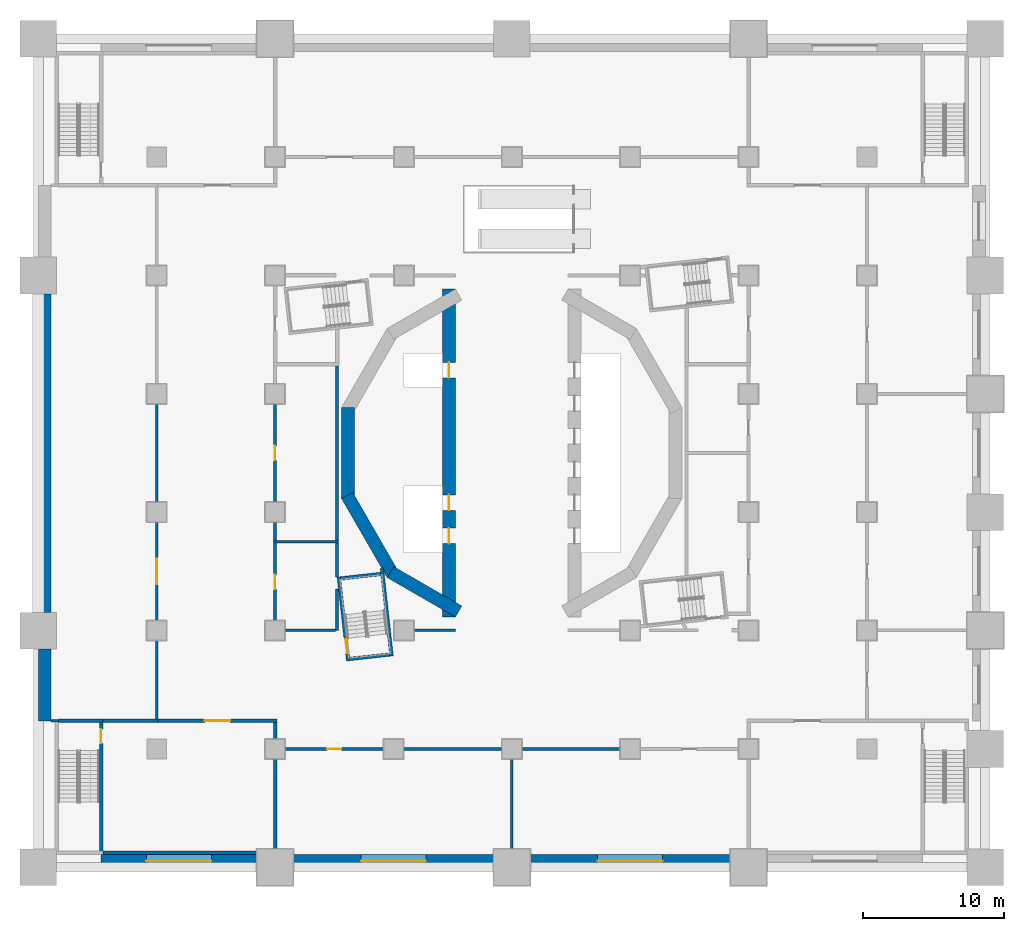
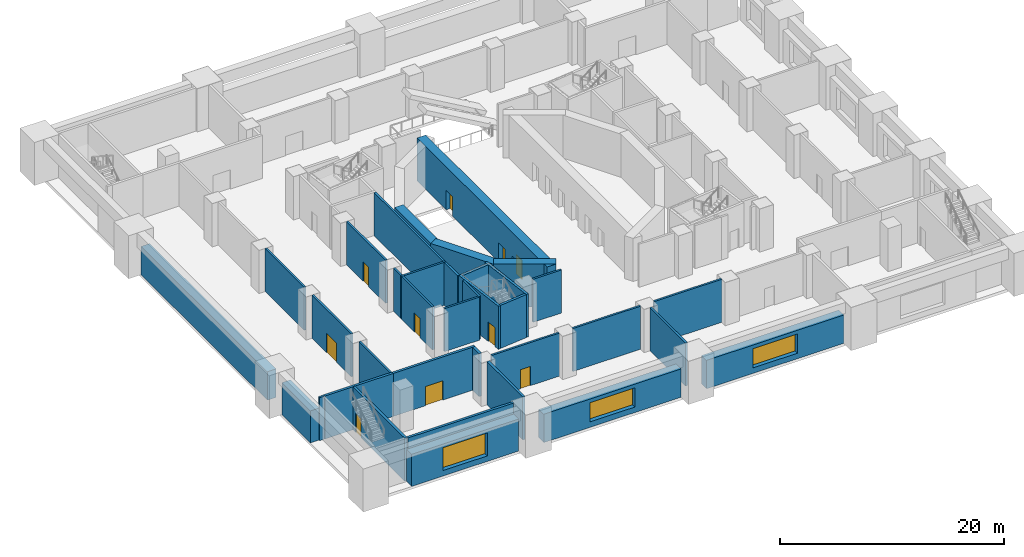
# One storey, part 2 of 18: 37 walls, 10 doors, 3 windows, 13 openings.
"""IFC4 building model written with IfcOpenShell, lengths in metres."""

from ifc_helpers import new_model, si_unit, direction, frame, frame_2d, origin, place, context, subcontext, project, spatial, rectangle, extrude, material, layer, layer_set, type_object, element, fill, save


model = new_model("IFC4")

# Units and contexts
model_context = context("Model", 3, precision=1e-05, world=origin(), true_north=direction((0.0, 1.0)))
body_context = subcontext(model_context, "Body", "Model", "MODEL_VIEW")
ifc_project = project(units=[si_unit("LENGTHUNIT", "METRE"), si_unit("AREAUNIT", "SQUARE_METRE"), si_unit("VOLUMEUNIT", "CUBIC_METRE"), si_unit("PLANEANGLEUNIT", "RADIAN"), si_unit("MASSUNIT", "GRAM", prefix="KILO")], contexts=[model_context])

# Site, building, storey
site_placement = place(None, origin())
site = spatial("IfcSite", under=ifc_project, at=site_placement, CompositionType="ELEMENT")
building_placement = place(site_placement, origin())
building = spatial("IfcBuilding", under=site, at=building_placement, Name="Cantera Rosa Tower", CompositionType="ELEMENT")
storey_placement = place(building_placement, frame((0.0, 0.0, 17.0)))
storey = spatial("IfcBuildingStorey", under=building, at=storey_placement, Name="L02", CompositionType="ELEMENT", Elevation=17.0)

# Walls
ifc_material_1 = material(Name="Masonry blockwork", Category="masonry")
ifc_layer_1 = layer(ifc_material_1, 0.199951171875)
ifc_layer_set_1 = layer_set([ifc_layer_1], Name="Blockwork partition 200")
wall_type_1 = type_object("IfcWallType", Name="Blockwork partition 200", PredefinedType="PARTITIONING", material=ifc_layer_set_1)
wall_1_placement = place(storey_placement, frame((-16.10009765625, -12.57666015625, 0.0), z_axis=(0.0, 0.0, 1.0), x_axis=(1.0, 0.0, 0.0)))
element("IfcWall", 1, at=wall_1_placement, inside=storey, type_object=wall_type_1, Name="Partition L02-1", PredefinedType="PARTITIONING", context=body_context, shape_type="SweptSolid", body=[
    extrude(rectangle(XDim=3.60009765625, YDim=0.199951171875, at=frame_2d((1.800048828125, 0.0))), origin(), (0.0, 0.0, 1.0), 4.699951171875),
])
wall_2_placement = place(storey_placement, frame((-6.949951171875, -12.57666015625, 0.0), z_axis=(0.0, 0.0, 1.0), x_axis=(1.0, 0.0, 0.0)))
element("IfcWall", 2, at=wall_2_placement, inside=storey, type_object=wall_type_1, Name="Partition L02-2", PredefinedType="PARTITIONING", context=body_context, shape_type="SweptSolid", body=[
    extrude(rectangle(XDim=2.949951171875, YDim=0.199951171875, at=frame_2d((1.47509765625, 0.0))), origin(), (0.0, 0.0, 1.0), 4.699951171875),
])
wall_3_placement = place(storey_placement, frame((-12.39990234375, -12.57666015625, 0.0), z_axis=(0.0, 0.0, 1.0), x_axis=(0.0, 1.0, 0.0)))
element("IfcWall", 3, at=wall_3_placement, inside=storey, type_object=wall_type_1, Name="Partition L02-8", PredefinedType="PARTITIONING", context=body_context, shape_type="SweptSolid", body=[
    extrude(rectangle(XDim=2.921142578125, YDim=0.199951171875, at=frame_2d((1.46044921875, 0.0))), origin(), (0.0, 0.0, 1.0), 4.699951171875),
])
wall_4_placement = place(storey_placement, frame((-12.39990234375, -8.802490234375, 0.0), z_axis=(0.0, 0.0, 1.0), x_axis=(0.0, 1.0, 0.0)))
element("IfcWall", 4, at=wall_4_placement, inside=storey, type_object=wall_type_1, Name="Partition L02-9", PredefinedType="PARTITIONING", context=body_context, shape_type="SweptSolid", body=[
    extrude(rectangle(XDim=2.402587890625, YDim=0.199951171875, at=frame_2d((1.201171875, 0.0))), origin(), (0.0, 0.0, 1.0), 4.699951171875),
])
wall_5_placement = place(storey_placement, frame((-12.39990234375, -6.199951171875, 0.0), z_axis=(0.0, 0.0, 1.0), x_axis=(0.0, 1.0, 0.0)))
element("IfcWall", 5, at=wall_5_placement, inside=storey, type_object=wall_type_1, Name="Partition L02-10", PredefinedType="PARTITIONING", context=body_context, shape_type="SweptSolid", body=[
    extrude(rectangle(XDim=12.375, YDim=0.199951171875, at=frame_2d((6.1875, 0.0))), origin(), (0.0, 0.0, 1.0), 4.699951171875),
])

# Wall, opening, door
wall_6_placement = place(storey_placement, frame((-16.800048828125, -11.89990234375, 0.0), z_axis=(0.0, 0.0, 1.0), x_axis=(0.0, 1.0, 0.0)))
wall_6 = element("IfcWall", 6, at=wall_6_placement, inside=storey, type_object=wall_type_1, Name="Partition L02-37", PredefinedType="PARTITIONING", context=body_context, shape_type="SweptSolid", body=[
    extrude(rectangle(XDim=5.5, YDim=0.199951171875, at=frame_2d((2.75, 0.0))), origin(), (0.0, 0.0, 1.0), 4.699951171875),
])
opening_1_placement = place(wall_6_placement, frame((2.25, 0.0, 0.0)))
opening_1 = element("IfcOpeningElement", 7, at=opening_1_placement, cuts=wall_6, Name="Opening L02-011", PredefinedType="OPENING", context=body_context, shape_type="SweptSolid", body=[
    extrude(rectangle(XDim=1.0, YDim=2.10009765625, at=frame_2d((0.5, 1.050048828125))), frame((0.0, 0.10986328125, 0.0), z_axis=(0.0, -1.0, 0.0), x_axis=(1.0, 0.0, 0.0)), (0.0, 0.0, 1.0), 0.219970703125),
])
ifc_material_2 = material(Name="Timber", Category="wood")
door_type_1 = type_object("IfcDoorType", Name="Door 1000x2100", OperationType="NOTDEFINED", PredefinedType="DOOR", material=ifc_material_2)
door_1_placement = place(opening_1_placement, origin())
door_1 = element("IfcDoor", 8, at=door_1_placement, inside=storey, type_object=door_type_1, Name="Door L02-011", OverallHeight=2.10009765625, OverallWidth=1.0, PredefinedType="DOOR", context=body_context, shape_type="SweptSolid", body=[
    extrude(rectangle(XDim=1.0, YDim=2.10009765625, at=frame_2d((0.5, 1.050048828125))), frame((0.0, 0.02490234375, 0.0), z_axis=(0.0, -1.0, 0.0), x_axis=(1.0, 0.0, 0.0)), (0.0, 0.0, 1.0), 0.050048828125),
])
fill(opening_1, door_1)

# Wall
wall_7_placement = place(storey_placement, frame((-16.800048828125, -6.199951171875, 0.0), z_axis=(0.0, 0.0, 1.0), x_axis=(0.0, 1.0, 0.0)))
element("IfcWall", 9, at=wall_7_placement, inside=storey, type_object=wall_type_1, Name="Partition L02-38", PredefinedType="PARTITIONING", context=body_context, shape_type="SweptSolid", body=[
    extrude(rectangle(XDim=1.300048828125, YDim=0.199951171875, at=frame_2d((0.64990234375, 0.0))), origin(), (0.0, 0.0, 1.0), 4.699951171875),
])

# Wall, opening, door
wall_8_placement = place(storey_placement, frame((-16.800048828125, -3.5, 0.0), z_axis=(0.0, 0.0, 1.0), x_axis=(0.0, 1.0, 0.0)))
wall_8 = element("IfcWall", 10, at=wall_8_placement, inside=storey, type_object=wall_type_1, Name="Partition L02-39", PredefinedType="PARTITIONING", context=body_context, shape_type="SweptSolid", body=[
    extrude(rectangle(XDim=7.0, YDim=0.199951171875, at=frame_2d((3.5, 0.0))), origin(), (0.0, 0.0, 1.0), 4.699951171875),
])
opening_2_placement = place(wall_8_placement, frame((3.0, 0.0, 0.0)))
opening_2 = element("IfcOpeningElement", 11, at=opening_2_placement, cuts=wall_8, Name="Opening L02-012", PredefinedType="OPENING", context=body_context, shape_type="SweptSolid", body=[
    extrude(rectangle(XDim=1.0, YDim=2.10009765625, at=frame_2d((0.5, 1.050048828125))), frame((0.0, 0.10986328125, 0.0), z_axis=(0.0, -1.0, 0.0), x_axis=(1.0, 0.0, 0.0)), (0.0, 0.0, 1.0), 0.219970703125),
])
door_2_placement = place(opening_2_placement, origin())
door_2 = element("IfcDoor", 12, at=door_2_placement, inside=storey, type_object=door_type_1, Name="Door L02-012", OverallHeight=2.10009765625, OverallWidth=1.0, PredefinedType="DOOR", context=body_context, shape_type="SweptSolid", body=[
    extrude(rectangle(XDim=1.0, YDim=2.10009765625, at=frame_2d((0.5, 1.050048828125))), frame((0.0, 0.02490234375, 0.0), z_axis=(0.0, -1.0, 0.0), x_axis=(1.0, 0.0, 0.0)), (0.0, 0.0, 1.0), 0.050048828125),
])
fill(opening_2, door_2)

# Walls
wall_9_placement = place(storey_placement, frame((-16.89990234375, -6.300048828125, 0.0), z_axis=(0.0, 0.0, 1.0), x_axis=(1.0, 0.0, 0.0)))
element("IfcWall", 13, at=wall_9_placement, inside=storey, type_object=wall_type_1, Name="Partition L02-44", PredefinedType="PARTITIONING", context=body_context, shape_type="SweptSolid", body=[
    extrude(rectangle(XDim=4.599853515625, YDim=0.199951171875, at=frame_2d((2.2998046875, 0.0))), origin(), (0.0, 0.0, 1.0), 4.699951171875),
])
wall_10_placement = place(storey_placement, frame((-32.699951171875, -19.0, 0.0), z_axis=(0.0, 0.0, 1.0), x_axis=(1.0, 0.0, 0.0)))
element("IfcWall", 14, at=wall_10_placement, inside=storey, type_object=wall_type_1, Name="Partition L02-65", PredefinedType="PARTITIONING", context=body_context, shape_type="SweptSolid", body=[
    extrude(rectangle(XDim=0.52490234375, YDim=0.199951171875, at=frame_2d((0.262451171875, 0.0))), origin(), (0.0, 0.0, 1.0), 4.699951171875),
])
wall_11_placement = place(storey_placement, frame((0.0, -28.10009765625, 0.0), z_axis=(0.0, 0.0, 1.0), x_axis=(0.0, 1.0, 0.0)))
element("IfcWall", 15, at=wall_11_placement, inside=storey, type_object=wall_type_1, Name="Partition L02-80", PredefinedType="PARTITIONING", context=body_context, shape_type="SweptSolid", body=[
    extrude(rectangle(XDim=6.400146484375, YDim=0.199951171875, at=frame_2d((3.2001953125, 0.0))), origin(), (0.0, 0.0, 1.0), 4.699951171875),
])

# Wall, opening, door
wall_12_placement = place(storey_placement, frame((-16.10009765625, -21.0, 0.0), z_axis=(0.0, 0.0, 1.0), x_axis=(1.0, 0.0, 0.0)))
wall_12 = element("IfcWall", 16, at=wall_12_placement, inside=storey, type_object=wall_type_1, Name="Partition L02-81", PredefinedType="PARTITIONING", context=body_context, shape_type="SweptSolid", body=[
    extrude(rectangle(XDim=7.0, YDim=0.199951171875, at=frame_2d((3.5, 0.0))), origin(), (0.0, 0.0, 1.0), 4.699951171875),
])
opening_3_placement = place(wall_12_placement, frame((3.0, 0.0, 0.0)))
opening_3 = element("IfcOpeningElement", 17, at=opening_3_placement, cuts=wall_12, Name="Opening L02-002", PredefinedType="OPENING", context=body_context, shape_type="SweptSolid", body=[
    extrude(rectangle(XDim=1.0, YDim=2.10009765625, at=frame_2d((0.5, 1.050048828125))), frame((0.0, 0.10986328125, 0.0), z_axis=(0.0, -1.0, 0.0), x_axis=(1.0, 0.0, 0.0)), (0.0, 0.0, 1.0), 0.219970703125),
])
door_3_placement = place(opening_3_placement, origin())
door_3 = element("IfcDoor", 18, at=door_3_placement, inside=storey, type_object=door_type_1, Name="Door L02-002", OverallHeight=2.10009765625, OverallWidth=1.0, PredefinedType="DOOR", context=body_context, shape_type="SweptSolid", body=[
    extrude(rectangle(XDim=1.0, YDim=2.10009765625, at=frame_2d((0.5, 1.050048828125))), frame((0.0, 0.02490234375, 0.0), z_axis=(0.0, -1.0, 0.0), x_axis=(1.0, 0.0, 0.0)), (0.0, 0.0, 1.0), 0.050048828125),
])
fill(opening_3, door_3)

# Walls
for number, where, z_axis, x_axis, name in (
    (19, (-7.699951171875, -21.0, 0.0), (0.0, 0.0, 1.0), (1.0, 0.0, 0.0), "Partition L02-82"),
    (20, (0.699951171875, -21.0, 0.0), (0.0, 0.0, 1.0), (1.0, 0.0, 0.0), "Partition L02-83"),
):
    element("IfcWall", number, at=place(storey_placement, frame(where, z_axis=z_axis, x_axis=x_axis)), inside=storey, type_object=wall_type_1, Name=name, PredefinedType="PARTITIONING", context=body_context, shape_type="SweptSolid", body=[
        extrude(rectangle(XDim=7.0, YDim=0.199951171875, at=frame_2d((3.5, 0.0))), origin(), (0.0, 0.0, 1.0), 4.699951171875),
    ])
wall_13_placement = place(storey_placement, frame((-25.199951171875, -18.875, 0.0), z_axis=(0.0, 0.0, 1.0), x_axis=(0.0, 1.0, 0.0)))
element("IfcWall", 21, at=wall_13_placement, inside=storey, type_object=wall_type_1, Name="Partition L02-91", PredefinedType="PARTITIONING", context=body_context, shape_type="SweptSolid", body=[
    extrude(rectangle(XDim=5.574951171875, YDim=0.199951171875, at=frame_2d((2.78759765625, 0.0))), origin(), (0.0, 0.0, 1.0), 4.699951171875),
])

# Wall, opening, door
wall_14_placement = place(storey_placement, frame((-25.199951171875, -11.89990234375, 0.0), z_axis=(0.0, 0.0, 1.0), x_axis=(0.0, 1.0, 0.0)))
wall_14 = element("IfcWall", 22, at=wall_14_placement, inside=storey, type_object=wall_type_1, Name="Partition L02-92", PredefinedType="PARTITIONING", context=body_context, shape_type="SweptSolid", body=[
    extrude(rectangle(XDim=7.0, YDim=0.199951171875, at=frame_2d((3.5, 0.0))), origin(), (0.0, 0.0, 1.0), 4.699951171875),
])
opening_4_placement = place(wall_14_placement, frame((2.60009765625, 0.0, 0.0)))
opening_4 = element("IfcOpeningElement", 23, at=opening_4_placement, cuts=wall_14, Name="Opening L02-007", PredefinedType="OPENING", context=body_context, shape_type="SweptSolid", body=[
    extrude(rectangle(XDim=1.800048828125, YDim=2.10009765625, at=frame_2d((0.89990234375, 1.050048828125))), frame((0.0, 0.10986328125, 0.0), z_axis=(0.0, -1.0, 0.0), x_axis=(1.0, 0.0, 0.0)), (0.0, 0.0, 1.0), 0.219970703125),
])
ifc_material_3 = material(Name="Timber", Category="wood")
door_type_2 = type_object("IfcDoorType", Name="Double door 1800x2100", OperationType="NOTDEFINED", PredefinedType="DOOR", material=ifc_material_3)
door_4_placement = place(opening_4_placement, origin())
door_4 = element("IfcDoor", 24, at=door_4_placement, inside=storey, type_object=door_type_2, Name="Door L02-007", OperationType="DOUBLE_DOOR_SINGLE_SWING", OverallHeight=2.10009765625, OverallWidth=1.800048828125, PredefinedType="DOOR", context=body_context, shape_type="SweptSolid", body=[
    extrude(rectangle(XDim=1.800048828125, YDim=2.10009765625, at=frame_2d((0.89990234375, 1.050048828125))), frame((0.0, 0.02490234375, 0.0), z_axis=(0.0, -1.0, 0.0), x_axis=(1.0, 0.0, 0.0)), (0.0, 0.0, 1.0), 0.050048828125),
])
fill(opening_4, door_4)

# Walls
wall_15_placement = place(storey_placement, frame((-25.199951171875, -3.5, 0.0), z_axis=(0.0, 0.0, 1.0), x_axis=(0.0, 1.0, 0.0)))
element("IfcWall", 25, at=wall_15_placement, inside=storey, type_object=wall_type_1, Name="Partition L02-93", PredefinedType="PARTITIONING", context=body_context, shape_type="SweptSolid", body=[
    extrude(rectangle(XDim=7.0, YDim=0.199951171875, at=frame_2d((3.5, 0.0))), origin(), (0.0, 0.0, 1.0), 4.699951171875),
])
ifc_material_4 = material(Name="Concrete C70/85", Category="concrete")
ifc_layer_2 = layer(ifc_material_4, 0.89990234375)
ifc_layer_set_2 = layer_set([ifc_layer_2], Name="Drum wall 900")
wall_type_2 = type_object("IfcWallType", Name="Drum wall 900", PredefinedType="SHEAR", material=ifc_layer_set_2)
wall_16_placement = place(storey_placement, frame((-3.77490234375, -11.242919921875, 0.0), z_axis=(0.0, 0.0, 1.0), x_axis=(-0.866026961591, 0.49999730179, 0.0)))
element("IfcWall", 26, at=wall_16_placement, inside=storey, type_object=wall_type_2, Name="Drum wall west 1 L02", PredefinedType="SHEAR", context=body_context, shape_type="SweptSolid", body=[
    extrude(rectangle(XDim=5.58740234375, YDim=0.89990234375, at=frame_2d((2.793701171875, 0.0))), origin(), (0.0, 0.0, 1.0), 4.699951171875),
])
wall_17_placement = place(storey_placement, frame((-8.44921875, -8.61376953125, 0.0), z_axis=(0.0, 0.0, 1.0), x_axis=(-0.499990282633, 0.866031014036, 0.0)))
element("IfcWall", 27, at=wall_17_placement, inside=storey, type_object=wall_type_2, Name="Drum wall west 2 L02", PredefinedType="SHEAR", context=body_context, shape_type="SweptSolid", body=[
    extrude(rectangle(XDim=6.470458984375, YDim=0.89990234375, at=frame_2d((3.2353515625, 0.0))), origin(), (0.0, 0.0, 1.0), 4.699951171875),
])
wall_18_placement = place(storey_placement, frame((-11.6240234375, -3.2353515625, 0.0), z_axis=(0.0, 0.0, 1.0), x_axis=(0.0, 1.0, 0.0)))
element("IfcWall", 28, at=wall_18_placement, inside=storey, type_object=wall_type_2, Name="Drum wall west 3 L02", PredefinedType="SHEAR", context=body_context, shape_type="SweptSolid", body=[
    extrude(rectangle(XDim=6.470703125, YDim=0.89990234375, at=frame_2d((3.2353515625, 0.0))), origin(), (0.0, 0.0, 1.0), 4.699951171875),
])

# Wall, openings, doors
wall_19_placement = place(storey_placement, frame((-4.449951171875, 11.632568359375, 0.0), z_axis=(0.0, 0.0, 1.0), x_axis=(0.0, -1.0, 0.0)))
wall_19 = element("IfcWall", 29, at=wall_19_placement, inside=storey, type_object=wall_type_2, Name="Drum wall west 6 L02", PredefinedType="SHEAR", context=body_context, shape_type="SweptSolid", body=[
    extrude(rectangle(XDim=23.26513671875, YDim=0.89990234375, at=frame_2d((11.632568359375, 0.0))), origin(), (0.0, 0.0, 1.0), 4.699951171875),
])
opening_5_placement = place(wall_19_placement, frame((14.607421875, 0.0, 0.0)))
opening_5 = element("IfcOpeningElement", 30, at=opening_5_placement, cuts=wall_19, Name="Opening LD-P3-L02", PredefinedType="OPENING", context=body_context, shape_type="SweptSolid", body=[
    extrude(rectangle(XDim=1.10009765625, YDim=2.10009765625, at=frame_2d((0.550048828125, 1.050048828125))), frame((0.0, 0.4599609375, 0.0), z_axis=(0.0, -1.0, 0.0), x_axis=(1.0, 0.0, 0.0)), (0.0, 0.0, 1.0), 0.919921875),
])
opening_6_placement = place(wall_19_placement, frame((16.95751953125, 0.0, 0.0)))
opening_6 = element("IfcOpeningElement", 31, at=opening_6_placement, cuts=wall_19, Name="Opening LD-P4-L02", PredefinedType="OPENING", context=body_context, shape_type="SweptSolid", body=[
    extrude(rectangle(XDim=1.10009765625, YDim=2.10009765625, at=frame_2d((0.550048828125, 1.050048828125))), frame((0.0, 0.4599609375, 0.0), z_axis=(0.0, -1.0, 0.0), x_axis=(1.0, 0.0, 0.0)), (0.0, 0.0, 1.0), 0.919921875),
])
opening_7_placement = place(wall_19_placement, frame((5.20751953125, 0.0, 0.0)))
opening_7 = element("IfcOpeningElement", 32, at=opening_7_placement, cuts=wall_19, Name="Opening LD-P5-L02", PredefinedType="OPENING", context=body_context, shape_type="SweptSolid", body=[
    extrude(rectangle(XDim=1.10009765625, YDim=2.10009765625, at=frame_2d((0.550048828125, 1.050048828125))), frame((0.0, 0.4599609375, 0.0), z_axis=(0.0, -1.0, 0.0), x_axis=(1.0, 0.0, 0.0)), (0.0, 0.0, 1.0), 0.919921875),
])
ifc_material_5 = material(Name="Steel S355J2 (EN 10025-2)", Category="steel")
door_type_3 = type_object("IfcDoorType", Name="LANDING DOOR 1100x2100", OperationType="NOTDEFINED", PredefinedType="DOOR", material=ifc_material_5)
door_5_placement = place(opening_5_placement, origin())
door_5 = element("IfcDoor", 33, at=door_5_placement, inside=storey, type_object=door_type_3, Name="LANDING DOOR P3 L02", OperationType="SLIDING_TO_LEFT", OverallHeight=2.10009765625, OverallWidth=1.10009765625, PredefinedType="DOOR", context=body_context, shape_type="SweptSolid", body=[
    extrude(rectangle(XDim=1.10009765625, YDim=2.10009765625, at=frame_2d((0.550048828125, 1.050048828125))), frame((0.0, 0.02490234375, 0.0), z_axis=(0.0, -1.0, 0.0), x_axis=(1.0, 0.0, 0.0)), (0.0, 0.0, 1.0), 0.050048828125),
])
fill(opening_5, door_5)
door_6_placement = place(opening_6_placement, origin())
door_6 = element("IfcDoor", 34, at=door_6_placement, inside=storey, type_object=door_type_3, Name="LANDING DOOR P4 L02", OperationType="SLIDING_TO_LEFT", OverallHeight=2.10009765625, OverallWidth=1.10009765625, PredefinedType="DOOR", context=body_context, shape_type="SweptSolid", body=[
    extrude(rectangle(XDim=1.10009765625, YDim=2.10009765625, at=frame_2d((0.550048828125, 1.050048828125))), frame((0.0, 0.02490234375, 0.0), z_axis=(0.0, -1.0, 0.0), x_axis=(1.0, 0.0, 0.0)), (0.0, 0.0, 1.0), 0.050048828125),
])
fill(opening_6, door_6)
door_7_placement = place(opening_7_placement, origin())
door_7 = element("IfcDoor", 35, at=door_7_placement, inside=storey, type_object=door_type_3, Name="LANDING DOOR P5 L02", OperationType="SLIDING_TO_LEFT", OverallHeight=2.10009765625, OverallWidth=1.10009765625, PredefinedType="DOOR", context=body_context, shape_type="SweptSolid", body=[
    extrude(rectangle(XDim=1.10009765625, YDim=2.10009765625, at=frame_2d((0.550048828125, 1.050048828125))), frame((0.0, 0.02490234375, 0.0), z_axis=(0.0, -1.0, 0.0), x_axis=(1.0, 0.0, 0.0)), (0.0, 0.0, 1.0), 0.050048828125),
])
fill(opening_7, door_7)

# Walls
ifc_material_6 = material(Name="Masonry blockwork", Category="masonry")
ifc_layer_3 = layer(ifc_material_6, 0.25)
ifc_layer_set_3 = layer_set([ifc_layer_3], Name="Fire-rated external wall 250")
wall_type_3 = type_object("IfcWallType", Name="Fire-rated external wall 250", PredefinedType="PARTITIONING", material=ifc_layer_set_3)
wall_20_placement = place(storey_placement, frame((-29.02490234375, -28.375, 0.0), z_axis=(0.0, 0.0, 1.0), x_axis=(1.0, 0.0, 0.0)))
element("IfcWall", 36, at=wall_20_placement, inside=storey, type_object=wall_type_3, Name="Fire wall L02-73", PredefinedType="PARTITIONING", context=body_context, shape_type="SweptSolid", body=[
    extrude(rectangle(XDim=10.9248046875, YDim=0.25, at=frame_2d((5.46240234375, 0.0))), origin(), (0.0, 0.0, 1.0), 4.699951171875),
])
ifc_material_7 = material(Name="Masonry blockwork", Category="masonry")
ifc_layer_4 = layer(ifc_material_7, 0.25)
ifc_layer_set_4 = layer_set([ifc_layer_4], Name="Fire-rated wall 250")
wall_type_4 = type_object("IfcWallType", Name="Fire-rated wall 250", PredefinedType="PARTITIONING", material=ifc_layer_set_4)
wall_21_placement = place(storey_placement, frame((-16.800048828125, -28.10009765625, 0.0), z_axis=(0.0, 0.0, 1.0), x_axis=(0.0, 1.0, 0.0)))
element("IfcWall", 37, at=wall_21_placement, inside=storey, type_object=wall_type_4, Name="Fire wall L02-35", PredefinedType="PARTITIONING", context=body_context, shape_type="SweptSolid", body=[
    extrude(rectangle(XDim=6.400146484375, YDim=0.25, at=frame_2d((3.2001953125, 0.0))), origin(), (0.0, 0.0, 1.0), 4.699951171875),
])
wall_22_placement = place(storey_placement, frame((-16.800048828125, -20.300048828125, 0.0), z_axis=(0.0, 0.0, 1.0), x_axis=(0.0, 1.0, 0.0)))
element("IfcWall", 38, at=wall_22_placement, inside=storey, type_object=wall_type_4, Name="Fire wall L02-36", PredefinedType="PARTITIONING", context=body_context, shape_type="SweptSolid", body=[
    extrude(rectangle(XDim=1.175048828125, YDim=0.25, at=frame_2d((0.58740234375, 0.0))), origin(), (0.0, 0.0, 1.0), 4.699951171875),
])
wall_23_placement = place(storey_placement, frame((-29.02490234375, -19.0, 0.0), z_axis=(0.0, 0.0, 1.0), x_axis=(1.0, 0.0, 0.0)))
element("IfcWall", 39, at=wall_23_placement, inside=storey, type_object=wall_type_4, Name="Fire wall L02-67", PredefinedType="PARTITIONING", context=body_context, shape_type="SweptSolid", body=[
    extrude(rectangle(XDim=3.9248046875, YDim=0.25, at=frame_2d((1.96240234375, 0.0))), origin(), (0.0, 0.0, 1.0), 4.699951171875),
])

# Wall, opening, door
wall_24_placement = place(storey_placement, frame((-25.10009765625, -19.0, 0.0), z_axis=(0.0, 0.0, 1.0), x_axis=(1.0, 0.0, 0.0)))
wall_24 = element("IfcWall", 40, at=wall_24_placement, inside=storey, type_object=wall_type_4, Name="Fire wall L02-68", PredefinedType="PARTITIONING", context=body_context, shape_type="SweptSolid", body=[
    extrude(rectangle(XDim=8.425048828125, YDim=0.25, at=frame_2d((4.21240234375, 0.0))), origin(), (0.0, 0.0, 1.0), 4.699951171875),
])
opening_8_placement = place(wall_24_placement, frame((3.3125, 0.0, 0.0)))
opening_8 = element("IfcOpeningElement", 41, at=opening_8_placement, cuts=wall_24, Name="Opening L02-020", PredefinedType="OPENING", context=body_context, shape_type="SweptSolid", body=[
    extrude(rectangle(XDim=1.800048828125, YDim=2.10009765625, at=frame_2d((0.89990234375, 1.050048828125))), frame((0.0, 0.135009765625, 0.0), z_axis=(0.0, -1.0, 0.0), x_axis=(1.0, 0.0, 0.0)), (0.0, 0.0, 1.0), 0.27001953125),
])
ifc_material_8 = material(Name="Steel S355J2 (EN 10025-2)", Category="steel")
door_type_4 = type_object("IfcDoorType", Name="Fire double door 1800x2100", OperationType="NOTDEFINED", PredefinedType="DOOR", material=ifc_material_8)
door_8_placement = place(opening_8_placement, origin())
door_8 = element("IfcDoor", 42, at=door_8_placement, inside=storey, type_object=door_type_4, Name="Door L02-020", OperationType="DOUBLE_DOOR_SINGLE_SWING", OverallHeight=2.10009765625, OverallWidth=1.800048828125, PredefinedType="DOOR", context=body_context, shape_type="SweptSolid", body=[
    extrude(rectangle(XDim=1.800048828125, YDim=2.10009765625, at=frame_2d((0.89990234375, 1.050048828125))), frame((0.0, 0.02490234375, 0.0), z_axis=(0.0, -1.0, 0.0), x_axis=(1.0, 0.0, 0.0)), (0.0, 0.0, 1.0), 0.050048828125),
])
fill(opening_8, door_8)

ifc_material_9 = material(Name="Concrete C50/60", Category="concrete")
ifc_layer_5 = layer(ifc_material_9, 0.25)
ifc_layer_set_5 = layer_set([ifc_layer_5], Name="RC stair wall 250 C50/60")
wall_type_5 = type_object("IfcWallType", Name="RC stair wall 250", PredefinedType="SOLIDWALL", material=ifc_layer_set_5)
wall_25_placement = place(storey_placement, frame((-29.14990234375, -28.375, 0.0), z_axis=(0.0, 0.0, 1.0), x_axis=(0.0, 1.0, 0.0)))
wall_25 = element("IfcWall", 43, at=wall_25_placement, inside=storey, type_object=wall_type_5, Name="Stair wall L02-61", PredefinedType="SOLIDWALL", context=body_context, shape_type="SweptSolid", body=[
    extrude(rectangle(XDim=9.25, YDim=0.25, at=frame_2d((4.625, 0.0))), origin(), (0.0, 0.0, 1.0), 4.699951171875),
])
opening_9_placement = place(wall_25_placement, frame((7.77490234375, 0.0, 0.0)))
opening_9 = element("IfcOpeningElement", 44, at=opening_9_placement, cuts=wall_25, Name="Opening L02-021", PredefinedType="OPENING", context=body_context, shape_type="SweptSolid", body=[
    extrude(rectangle(XDim=1.0, YDim=2.10009765625, at=frame_2d((0.5, 1.050048828125))), frame((0.0, 0.135009765625, 0.0), z_axis=(0.0, -1.0, 0.0), x_axis=(1.0, 0.0, 0.0)), (0.0, 0.0, 1.0), 0.27001953125),
])
ifc_material_10 = material(Name="Steel S355J2 (EN 10025-2)", Category="steel")
door_type_5 = type_object("IfcDoorType", Name="Fire door 1000x2100 EI 120", OperationType="NOTDEFINED", PredefinedType="DOOR", material=ifc_material_10)
door_9_placement = place(opening_9_placement, origin())
door_9 = element("IfcDoor", 45, at=door_9_placement, inside=storey, type_object=door_type_5, Name="Door L02-021", OverallHeight=2.10009765625, OverallWidth=1.0, PredefinedType="DOOR", context=body_context, shape_type="SweptSolid", body=[
    extrude(rectangle(XDim=1.0, YDim=2.10009765625, at=frame_2d((0.5, 1.050048828125))), frame((0.0, 0.02490234375, 0.0), z_axis=(0.0, -1.0, 0.0), x_axis=(1.0, 0.0, 0.0)), (0.0, 0.0, 1.0), 0.050048828125),
])
fill(opening_9, door_9)

# Walls
wall_26_placement = place(storey_placement, frame((-32.175048828125, -19.0, 0.0), z_axis=(0.0, 0.0, 1.0), x_axis=(1.0, 0.0, 0.0)))
element("IfcWall", 46, at=wall_26_placement, inside=storey, type_object=wall_type_5, Name="Stair wall L02-66", PredefinedType="SOLIDWALL", context=body_context, shape_type="SweptSolid", body=[
    extrude(rectangle(XDim=3.150146484375, YDim=0.25, at=frame_2d((1.5751953125, 0.0))), origin(), (0.0, 0.0, 1.0), 4.699951171875),
])
wall_27_placement = place(storey_placement, frame((-8.66650390625, -14.30029296875, 0.0), z_axis=(0.0, 0.0, 1.0), x_axis=(-0.993904609394, -0.110243491536, 0.0)))
element("IfcWall", 47, at=wall_27_placement, inside=storey, type_object=wall_type_5, Name="Stair wall ST-13 L02-1", PredefinedType="SOLIDWALL", context=body_context, shape_type="SweptSolid", body=[
    extrude(rectangle(XDim=2.85009765625, YDim=0.25, at=frame_2d((1.425048828125, 0.0))), origin(), (0.0, 0.0, 1.0), 4.699951171875),
])

# Wall, opening, door
wall_28_placement = place(storey_placement, frame((-11.609619140625, -14.752685546875, 0.0), z_axis=(0.0, 0.0, 1.0), x_axis=(-0.110310943534, 0.993897125329, 0.0)))
wall_28 = element("IfcWall", 48, at=wall_28_placement, inside=storey, type_object=wall_type_5, Name="Stair wall ST-13 L02-2", PredefinedType="SOLIDWALL", context=body_context, shape_type="SweptSolid", body=[
    extrude(rectangle(XDim=6.0, YDim=0.25, at=frame_2d((3.0, 0.0))), origin(), (0.0, 0.0, 1.0), 4.699951171875),
])
opening_10_placement = place(wall_28_placement, frame((0.550048828125, 0.0, 0.0)))
opening_10 = element("IfcOpeningElement", 49, at=opening_10_placement, cuts=wall_28, Name="Opening L02-ST-13", PredefinedType="OPENING", context=body_context, shape_type="SweptSolid", body=[
    extrude(rectangle(XDim=1.0, YDim=2.10009765625, at=frame_2d((0.5, 1.050048828125))), frame((0.0, 0.135009765625, 0.0), z_axis=(0.0, -1.0, 0.0), x_axis=(1.0, 0.0, 0.0)), (0.0, 0.0, 1.0), 0.27001953125),
])
door_10_placement = place(opening_10_placement, origin())
door_10 = element("IfcDoor", 50, at=door_10_placement, inside=storey, type_object=door_type_5, Name="Door L02-ST-13", OverallHeight=2.10009765625, OverallWidth=1.0, PredefinedType="DOOR", context=body_context, shape_type="SweptSolid", body=[
    extrude(rectangle(XDim=1.0, YDim=2.10009765625, at=frame_2d((0.5, 1.050048828125))), frame((0.0, 0.02490234375, 0.0), z_axis=(0.0, -1.0, 0.0), x_axis=(1.0, 0.0, 0.0)), (0.0, 0.0, 1.0), 0.050048828125),
])
fill(opening_10, door_10)

# Walls
wall_29_placement = place(storey_placement, frame((-12.133544921875, -8.899658203125, 0.0), z_axis=(0.0, 0.0, 1.0), x_axis=(0.993904609394, 0.110243491536, 0.0)))
element("IfcWall", 51, at=wall_29_placement, inside=storey, type_object=wall_type_5, Name="Stair wall ST-13 L02-3", PredefinedType="SOLIDWALL", context=body_context, shape_type="SweptSolid", body=[
    extrude(rectangle(XDim=2.85009765625, YDim=0.25, at=frame_2d((1.425048828125, 0.0))), origin(), (0.0, 0.0, 1.0), 4.699951171875),
])
wall_30_placement = place(storey_placement, frame((-9.22021484375, -8.17822265625, 0.0), z_axis=(0.0, 0.0, 1.0), x_axis=(0.110299055694, -0.993898444668, 0.0)))
element("IfcWall", 52, at=wall_30_placement, inside=storey, type_object=wall_type_5, Name="Stair wall ST-13 L02-4", PredefinedType="SOLIDWALL", context=body_context, shape_type="SweptSolid", body=[
    extrude(rectangle(XDim=6.270751953125, YDim=0.25, at=frame_2d((3.13525390625, 0.0))), origin(), (0.0, 0.0, 1.0), 4.699951171875),
])

# Wall, opening, window
ifc_material_11 = material(Name="Concrete C40/50 with limestone facing", Category="masonry")
ifc_layer_6 = layer(ifc_material_11, 0.89990234375)
ifc_layer_set_6 = layer_set([ifc_layer_6], Name="Stone podium wall 900")
wall_type_6 = type_object("IfcWallType", Name="Stone podium wall 900", PredefinedType="SOLIDWALL", material=ifc_layer_set_6)
wall_31_placement = place(storey_placement, frame((-18.10009765625, -28.949951171875, 0.0), z_axis=(0.0, 0.0, 1.0), x_axis=(-1.0, 0.0, 0.0)))
wall_31 = element("IfcWall", 53, at=wall_31_placement, inside=storey, type_object=wall_type_6, Name="Stone wall S L02-1", PredefinedType="SOLIDWALL", context=body_context, shape_type="SweptSolid", body=[
    extrude(rectangle(XDim=11.0498046875, YDim=0.89990234375, at=frame_2d((5.52490234375, 0.0))), origin(), (0.0, 0.0, 1.0), 3.5),
])
opening_11_placement = place(wall_31_placement, frame((3.22509765625, 0.0, 0.60009765625)))
opening_11 = element("IfcOpeningElement", 54, at=opening_11_placement, cuts=wall_31, Name="Opening L02-PWS1", PredefinedType="OPENING", context=body_context, shape_type="SweptSolid", body=[
    extrude(rectangle(XDim=4.60009765625, YDim=2.5, at=frame_2d((2.300048828125, 1.25))), frame((0.0, 0.4599609375, 0.0), z_axis=(0.0, -1.0, 0.0), x_axis=(1.0, 0.0, 0.0)), (0.0, 0.0, 1.0), 0.919921875),
])
ifc_material_12 = material(Name="Glass", Category="glass")
window_type_1 = type_object("IfcWindowType", Name="Podium window 4600x2500", PartitioningType="SINGLE_PANEL", PredefinedType="WINDOW", material=ifc_material_12)
window_1_placement = place(opening_11_placement, origin())
window_1 = element("IfcWindow", 55, at=window_1_placement, inside=storey, type_object=window_type_1, Name="Podium window L02-S1", OverallHeight=2.5, OverallWidth=4.60009765625, PartitioningType="SINGLE_PANEL", PredefinedType="WINDOW", context=body_context, shape_type="SweptSolid", body=[
    extrude(rectangle(XDim=4.60009765625, YDim=2.5, at=frame_2d((2.300048828125, 1.25))), frame((0.0, 0.030029296875, 0.0), z_axis=(0.0, -1.0, 0.0), x_axis=(1.0, 0.0, 0.0)), (0.0, 0.0, 1.0), 0.06005859375),
])
fill(opening_11, window_1)

# Wall
wall_32_placement = place(storey_placement, frame((-33.14990234375, -13.89990234375, 0.0), z_axis=(0.0, 0.0, 1.0), x_axis=(0.0, -1.0, 0.0)))
element("IfcWall", 56, at=wall_32_placement, inside=storey, type_object=wall_type_6, Name="Stone wall W L02-1", PredefinedType="SOLIDWALL", context=body_context, shape_type="SweptSolid", body=[
    extrude(rectangle(XDim=5.10009765625, YDim=0.89990234375, at=frame_2d((2.550048828125, 0.0))), origin(), (0.0, 0.0, 1.0), 3.5),
])

# Wall, opening, window
ifc_material_13 = material(Name="Concrete C40/50 with limestone facing", Category="masonry")
ifc_layer_7 = layer(ifc_material_13, 0.89990234375)
ifc_layer_set_7 = layer_set([ifc_layer_7], Name="Stone podium wall 900 under deep girder")
wall_type_7 = type_object("IfcWallType", Name="Stone podium wall 900 under deep girder", PredefinedType="SOLIDWALL", material=ifc_layer_set_7)
wall_33_placement = place(storey_placement, frame((-1.300048828125, -28.949951171875, 0.0), z_axis=(0.0, 0.0, 1.0), x_axis=(-1.0, 0.0, 0.0)))
wall_33 = element("IfcWall", 57, at=wall_33_placement, inside=storey, type_object=wall_type_7, Name="Stone wall S L02-2", PredefinedType="SOLIDWALL", context=body_context, shape_type="SweptSolid", body=[
    extrude(rectangle(XDim=14.199951171875, YDim=0.89990234375, at=frame_2d((7.10009765625, 0.0))), origin(), (0.0, 0.0, 1.0), 3.10009765625),
])
opening_12_placement = place(wall_33_placement, frame((4.800048828125, 0.0, 0.60009765625)))
opening_12 = element("IfcOpeningElement", 58, at=opening_12_placement, cuts=wall_33, Name="Opening L02-PWS2", PredefinedType="OPENING", context=body_context, shape_type="SweptSolid", body=[
    extrude(rectangle(XDim=4.60009765625, YDim=2.10009765625, at=frame_2d((2.300048828125, 1.050048828125))), frame((0.0, 0.4599609375, 0.0), z_axis=(0.0, -1.0, 0.0), x_axis=(1.0, 0.0, 0.0)), (0.0, 0.0, 1.0), 0.919921875),
])
ifc_material_14 = material(Name="Glass", Category="glass")
window_type_2 = type_object("IfcWindowType", Name="Podium window 4600x2100", PartitioningType="SINGLE_PANEL", PredefinedType="WINDOW", material=ifc_material_14)
window_2_placement = place(opening_12_placement, origin())
window_2 = element("IfcWindow", 59, at=window_2_placement, inside=storey, type_object=window_type_2, Name="Podium window L02-S2", OverallHeight=2.10009765625, OverallWidth=4.60009765625, PartitioningType="SINGLE_PANEL", PredefinedType="WINDOW", context=body_context, shape_type="SweptSolid", body=[
    extrude(rectangle(XDim=4.60009765625, YDim=2.10009765625, at=frame_2d((2.300048828125, 1.050048828125))), frame((0.0, 0.030029296875, 0.0), z_axis=(0.0, -1.0, 0.0), x_axis=(1.0, 0.0, 0.0)), (0.0, 0.0, 1.0), 0.06005859375),
])
fill(opening_12, window_2)

wall_34_placement = place(storey_placement, frame((15.5, -28.949951171875, 0.0), z_axis=(0.0, 0.0, 1.0), x_axis=(-1.0, 0.0, 0.0)))
wall_34 = element("IfcWall", 60, at=wall_34_placement, inside=storey, type_object=wall_type_7, Name="Stone wall S L02-3", PredefinedType="SOLIDWALL", context=body_context, shape_type="SweptSolid", body=[
    extrude(rectangle(XDim=14.199951171875, YDim=0.89990234375, at=frame_2d((7.10009765625, 0.0))), origin(), (0.0, 0.0, 1.0), 3.10009765625),
])
opening_13_placement = place(wall_34_placement, frame((4.800048828125, 0.0, 0.60009765625)))
opening_13 = element("IfcOpeningElement", 61, at=opening_13_placement, cuts=wall_34, Name="Opening L02-PWS3", PredefinedType="OPENING", context=body_context, shape_type="SweptSolid", body=[
    extrude(rectangle(XDim=4.60009765625, YDim=2.10009765625, at=frame_2d((2.300048828125, 1.050048828125))), frame((0.0, 0.4599609375, 0.0), z_axis=(0.0, -1.0, 0.0), x_axis=(1.0, 0.0, 0.0)), (0.0, 0.0, 1.0), 0.919921875),
])
window_3_placement = place(opening_13_placement, origin())
window_3 = element("IfcWindow", 62, at=window_3_placement, inside=storey, type_object=window_type_2, Name="Podium window L02-S3", OverallHeight=2.10009765625, OverallWidth=4.60009765625, PartitioningType="SINGLE_PANEL", PredefinedType="WINDOW", context=body_context, shape_type="SweptSolid", body=[
    extrude(rectangle(XDim=4.60009765625, YDim=2.10009765625, at=frame_2d((2.300048828125, 1.050048828125))), frame((0.0, 0.030029296875, 0.0), z_axis=(0.0, -1.0, 0.0), x_axis=(1.0, 0.0, 0.0)), (0.0, 0.0, 1.0), 0.06005859375),
])
fill(opening_13, window_3)

# Wall
wall_35_placement = place(storey_placement, frame((-33.14990234375, 11.300048828125, 0.0), z_axis=(0.0, 0.0, 1.0), x_axis=(0.0, -1.0, 0.0)))
element("IfcWall", 63, at=wall_35_placement, inside=storey, type_object=wall_type_7, Name="Stone wall W L02-2", PredefinedType="SOLIDWALL", context=body_context, shape_type="SweptSolid", body=[
    extrude(rectangle(XDim=22.60009765625, YDim=0.89990234375, at=frame_2d((11.300048828125, 0.0))), origin(), (0.0, 0.0, 1.0), 3.10009765625),
])

save(model, "model.ifc")
